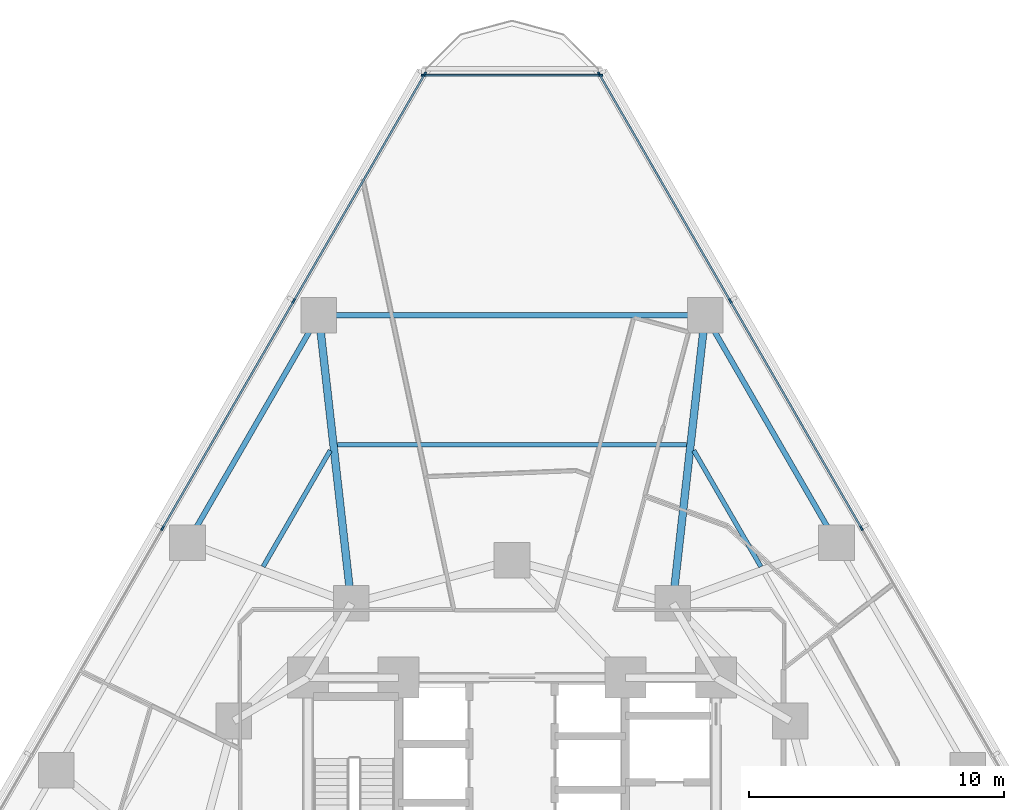
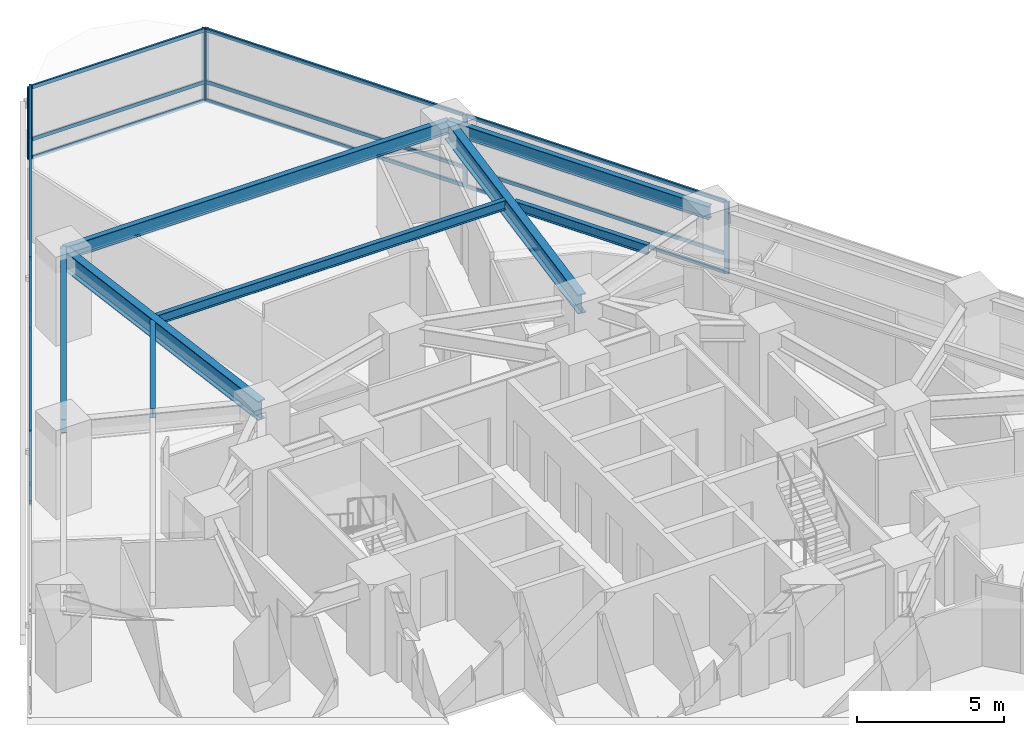
# One storey, part 6 of 15: 23 members, 8 beams, 3 elements without a shape of their own.
"""IFC4 building model written with IfcOpenShell, lengths in metres."""

from ifc_helpers import new_model, si_unit, direction, frame, origin, origin_2d, place, context, subcontext, project, spatial, rectangle, i_section, extrude, material, layer, layer_set, material_profile, profile_set, type_object, element, aggregate, save


model = new_model("IFC4")

# Units and contexts
model_context = context("Model", 3, precision=1e-05, world=origin(), true_north=direction((0.0, 1.0)))
body_context = subcontext(model_context, "Body", "Model", "MODEL_VIEW")
ifc_project = project(units=[si_unit("LENGTHUNIT", "METRE"), si_unit("AREAUNIT", "SQUARE_METRE"), si_unit("VOLUMEUNIT", "CUBIC_METRE"), si_unit("PLANEANGLEUNIT", "RADIAN"), si_unit("MASSUNIT", "GRAM", prefix="KILO")], contexts=[model_context])

# Site, building, storey
site_placement = place(None, origin())
site = spatial("IfcSite", under=ifc_project, at=site_placement, CompositionType="ELEMENT")
building_placement = place(site_placement, origin())
building = spatial("IfcBuilding", under=site, at=building_placement, Name="Terralouvre Media Tower", CompositionType="ELEMENT")
storey_placement = place(building_placement, frame((0.0, 0.0, 48.199951171875)))
storey = spatial("IfcBuildingStorey", under=building, at=storey_placement, Name="L11", CompositionType="ELEMENT", Elevation=48.199951171875)

# Beams
ifc_material_1 = material(Name="Structural steel S355J2", Category="steel")
ifc_material_profile_1 = material_profile(ifc_material_1, i_section(OverallWidth=0.179931640625, OverallDepth=0.39990234375, WebThickness=0.008544921875, FlangeThickness=0.013427734375, at=origin_2d()), Name="IPE 400")
ifc_profile_set_1 = profile_set([ifc_material_profile_1], Name="Structural steel S355J2")
beam_type_1 = type_object("IfcBeamType", Name="Composite Floor Joist J-IPE400 (IPE 400)", PredefinedType="JOIST", material=ifc_profile_set_1)
beam_1_placement = place(storey_placement, frame((9.758544921875, 12.351806640625, 3.300048828125), z_axis=(-0.499984733014, 0.866034218004, 0.0), x_axis=(-0.866034218004, -0.499984733014, 0.0)))
element("IfcBeam", 1, at=beam_1_placement, inside=storey, type_object=beam_type_1, Name="L11 Framing Beam JT-L11-08", PredefinedType="JOIST", context=body_context, shape_type="SweptSolid", body=[
    extrude(i_section(OverallWidth=0.179931640625, OverallDepth=0.39990234375, WebThickness=0.008544921875, FlangeThickness=0.013427734375, at=origin_2d()), origin(), (0.0, 0.0, 1.0), 5.264404296875),
])
beam_2_placement = place(storey_placement, frame((6.85107421875, 17.127685546875, 3.300048828125), z_axis=(-1.0, 0.0, 0.0), x_axis=(0.0, -1.0, 0.0)))
element("IfcBeam", 2, at=beam_2_placement, inside=storey, type_object=beam_type_1, Name="L11 Framing Beam JT-L11-09", PredefinedType="JOIST", context=body_context, shape_type="SweptSolid", body=[
    extrude(i_section(OverallWidth=0.179931640625, OverallDepth=0.39990234375, WebThickness=0.008544921875, FlangeThickness=0.013427734375, at=origin_2d()), origin(), (0.0, 0.0, 1.0), 13.7021484375),
])
beam_3_placement = place(storey_placement, frame((-7.12646484375, 16.910888671875, 3.300048828125), z_axis=(-0.499984733014, -0.866034218004, 0.0), x_axis=(0.866034218004, -0.499984733014, 0.0)))
element("IfcBeam", 3, at=beam_3_placement, inside=storey, type_object=beam_type_1, Name="L11 Framing Beam JT-L11-10", PredefinedType="JOIST", context=body_context, shape_type="SweptSolid", body=[
    extrude(i_section(OverallWidth=0.179931640625, OverallDepth=0.39990234375, WebThickness=0.008544921875, FlangeThickness=0.013427734375, at=origin_2d()), origin(), (0.0, 0.0, 1.0), 5.264404296875),
])

# Curtain wall, members
ifc_material_2 = material(Name="Low-iron laminated double glazing with solar-control coating", Category="glass")
ifc_layer_1 = layer(ifc_material_2, 0.1650390625, Name="Lower Media Tower Unitised Curtain Wall CW-02")
ifc_layer_set_1 = layer_set([ifc_layer_1], Name="Low-iron laminated double glazing with solar-control coating")
curtain_wall_type_1 = type_object("IfcCurtainWallType", Name="Lower Media Tower Unitised Curtain Wall CW-02", PredefinedType="NOTDEFINED", material=ifc_layer_set_1)
curtain_wall_1_placement = place(storey_placement, origin())
curtain_wall_1 = element("IfcCurtainWall", 4, at=curtain_wall_1_placement, inside=storey, type_object=curtain_wall_type_1, Name="L11 Facade Curtain Wall F1", PredefinedType="NOTDEFINED")
ifc_material_3 = material(Name="Anodised extruded aluminium 6063-T6", Category="aluminium")
ifc_material_profile_2 = material_profile(ifc_material_3, rectangle(XDim=0.074951171875, YDim=0.14990234375, at=origin_2d()), Name="ALU 75x150")
ifc_profile_set_2 = profile_set([ifc_material_profile_2], Name="Anodised extruded aluminium 6063-T6")
member_type_1 = type_object("IfcMemberType", Name="Curtain-Wall Horizontal Transom TR-150", PredefinedType="USERDEFINED", material=ifc_profile_set_2)
member_1_placement = place(storey_placement, frame((13.684814453125, 13.890869140625, 0.03759765625), z_axis=(-0.499998717582, 0.866026144187, 0.0), x_axis=(-0.866026144187, -0.499998717582, 0.0)))
member_1 = element("IfcMember", 5, at=member_1_placement, type_object=member_type_1, Name="CW-02 transom 4.1", ObjectType="TRANSOM", PredefinedType="USERDEFINED", context=body_context, shape_type="SweptSolid", body=[
    extrude(rectangle(XDim=0.074951171875, YDim=0.14990234375, at=origin_2d()), origin(), (0.0, 0.0, 1.0), 10.22509765625),
])
member_2_placement = place(storey_placement, frame((13.684814453125, 13.890869140625, 0.800048828125), z_axis=(-0.499998717582, 0.866026144187, 0.0), x_axis=(-0.866026144187, -0.499998717582, 0.0)))
member_2 = element("IfcMember", 6, at=member_2_placement, type_object=member_type_1, Name="CW-02 transom 4.2", ObjectType="TRANSOM", PredefinedType="USERDEFINED", context=body_context, shape_type="SweptSolid", body=[
    extrude(rectangle(XDim=0.074951171875, YDim=0.14990234375, at=origin_2d()), origin(), (0.0, 0.0, 1.0), 10.22509765625),
])
member_3_placement = place(storey_placement, frame((13.684814453125, 13.890869140625, 2.962646484375), z_axis=(-0.499998717582, 0.866026144187, 0.0), x_axis=(-0.866026144187, -0.499998717582, 0.0)))
member_3 = element("IfcMember", 7, at=member_3_placement, type_object=member_type_1, Name="CW-02 transom 4.3", ObjectType="TRANSOM", PredefinedType="USERDEFINED", context=body_context, shape_type="SweptSolid", body=[
    extrude(rectangle(XDim=0.074951171875, YDim=0.14990234375, at=origin_2d()), origin(), (0.0, 0.0, 1.0), 10.22509765625),
])
member_4_placement = place(storey_placement, frame((8.53466796875, 22.81103515625, 0.03759765625), z_axis=(-0.500005272087, 0.866022359922, 0.0), x_axis=(-0.866022359922, -0.500005272087, 0.0)))
member_4 = element("IfcMember", 8, at=member_4_placement, type_object=member_type_1, Name="CW-02 transom 5.1", ObjectType="TRANSOM", PredefinedType="USERDEFINED", context=body_context, shape_type="SweptSolid", body=[
    extrude(rectangle(XDim=0.074951171875, YDim=0.14990234375, at=origin_2d()), origin(), (0.0, 0.0, 1.0), 10.1875),
])
member_5_placement = place(storey_placement, frame((8.53466796875, 22.81103515625, 0.800048828125), z_axis=(-0.500005272087, 0.866022359922, 0.0), x_axis=(-0.866022359922, -0.500005272087, 0.0)))
member_5 = element("IfcMember", 9, at=member_5_placement, type_object=member_type_1, Name="CW-02 transom 5.2", ObjectType="TRANSOM", PredefinedType="USERDEFINED", context=body_context, shape_type="SweptSolid", body=[
    extrude(rectangle(XDim=0.074951171875, YDim=0.14990234375, at=origin_2d()), origin(), (0.0, 0.0, 1.0), 10.1875),
])
member_6_placement = place(storey_placement, frame((8.53466796875, 22.81103515625, 2.962646484375), z_axis=(-0.500005272087, 0.866022359922, 0.0), x_axis=(-0.866022359922, -0.500005272087, 0.0)))
member_6 = element("IfcMember", 10, at=member_6_placement, type_object=member_type_1, Name="CW-02 transom 5.3", ObjectType="TRANSOM", PredefinedType="USERDEFINED", context=body_context, shape_type="SweptSolid", body=[
    extrude(rectangle(XDim=0.074951171875, YDim=0.14990234375, at=origin_2d()), origin(), (0.0, 0.0, 1.0), 10.1875),
])

curtain_wall_2_placement = place(storey_placement, origin())
curtain_wall_2 = element("IfcCurtainWall", 11, at=curtain_wall_2_placement, inside=storey, type_object=curtain_wall_type_1, Name="L11 Facade Curtain Wall F2", PredefinedType="NOTDEFINED")
member_7_placement = place(storey_placement, frame((-3.44091796875, 31.633544921875, 0.03759765625), z_axis=(-0.500005272087, -0.866022359922, 0.0), x_axis=(0.866022359922, -0.500005272087, 0.0)))
member_7 = element("IfcMember", 12, at=member_7_placement, type_object=member_type_1, Name="CW-02 transom 1.1", ObjectType="TRANSOM", PredefinedType="USERDEFINED", context=body_context, shape_type="SweptSolid", body=[
    extrude(rectangle(XDim=0.074951171875, YDim=0.14990234375, at=origin_2d()), origin(), (0.0, 0.0, 1.0), 10.1875),
])
member_8_placement = place(storey_placement, frame((-3.44091796875, 31.633544921875, 0.800048828125), z_axis=(-0.500005272087, -0.866022359922, 0.0), x_axis=(0.866022359922, -0.500005272087, 0.0)))
member_8 = element("IfcMember", 13, at=member_8_placement, type_object=member_type_1, Name="CW-02 transom 1.2", ObjectType="TRANSOM", PredefinedType="USERDEFINED", context=body_context, shape_type="SweptSolid", body=[
    extrude(rectangle(XDim=0.074951171875, YDim=0.14990234375, at=origin_2d()), origin(), (0.0, 0.0, 1.0), 10.1875),
])
member_9_placement = place(storey_placement, frame((-3.44091796875, 31.633544921875, 2.962646484375), z_axis=(-0.500005272087, -0.866022359922, 0.0), x_axis=(0.866022359922, -0.500005272087, 0.0)))
member_9 = element("IfcMember", 14, at=member_9_placement, type_object=member_type_1, Name="CW-02 transom 1.3", ObjectType="TRANSOM", PredefinedType="USERDEFINED", context=body_context, shape_type="SweptSolid", body=[
    extrude(rectangle(XDim=0.074951171875, YDim=0.14990234375, at=origin_2d()), origin(), (0.0, 0.0, 1.0), 10.1875),
])
member_10_placement = place(storey_placement, frame((-8.572265625, 22.74609375, 0.03759765625), z_axis=(-0.499998717582, -0.866026144187, 0.0), x_axis=(0.866026144187, -0.499998717582, 0.0)))
member_10 = element("IfcMember", 15, at=member_10_placement, type_object=member_type_1, Name="CW-02 transom 2.1", ObjectType="TRANSOM", PredefinedType="USERDEFINED", context=body_context, shape_type="SweptSolid", body=[
    extrude(rectangle(XDim=0.074951171875, YDim=0.14990234375, at=origin_2d()), origin(), (0.0, 0.0, 1.0), 10.22509765625),
])
member_11_placement = place(storey_placement, frame((-8.572265625, 22.74609375, 0.800048828125), z_axis=(-0.499998717582, -0.866026144187, 0.0), x_axis=(0.866026144187, -0.499998717582, 0.0)))
member_11 = element("IfcMember", 16, at=member_11_placement, type_object=member_type_1, Name="CW-02 transom 2.2", ObjectType="TRANSOM", PredefinedType="USERDEFINED", context=body_context, shape_type="SweptSolid", body=[
    extrude(rectangle(XDim=0.074951171875, YDim=0.14990234375, at=origin_2d()), origin(), (0.0, 0.0, 1.0), 10.22509765625),
])
member_12_placement = place(storey_placement, frame((-8.572265625, 22.74609375, 2.962646484375), z_axis=(-0.499998717582, -0.866026144187, 0.0), x_axis=(0.866026144187, -0.499998717582, 0.0)))
member_12 = element("IfcMember", 17, at=member_12_placement, type_object=member_type_1, Name="CW-02 transom 2.3", ObjectType="TRANSOM", PredefinedType="USERDEFINED", context=body_context, shape_type="SweptSolid", body=[
    extrude(rectangle(XDim=0.074951171875, YDim=0.14990234375, at=origin_2d()), origin(), (0.0, 0.0, 1.0), 10.22509765625),
])

ifc_material_4 = material(Name="Low-iron laminated double glazing with solar-control coating", Category="glass")
ifc_layer_2 = layer(ifc_material_4, 0.1650390625, Name="Rounded Wind-Corner Curved Glazing CW-04")
ifc_layer_set_2 = layer_set([ifc_layer_2], Name="Low-iron laminated double glazing with solar-control coating")
curtain_wall_type_2 = type_object("IfcCurtainWallType", Name="Rounded Wind-Corner Curved Glazing CW-04", PredefinedType="NOTDEFINED", material=ifc_layer_set_2)
curtain_wall_3_placement = place(storey_placement, origin())
curtain_wall_3 = element("IfcCurtainWall", 18, at=curtain_wall_3_placement, inside=storey, type_object=curtain_wall_type_2, Name="L11 Rounded Wind-Corner Curtain Wall C2", PredefinedType="NOTDEFINED")
member_13_placement = place(storey_placement, frame((3.432373046875, 31.61865234375, 0.03759765625), z_axis=(-1.0, 0.0, 0.0), x_axis=(0.0, -1.0, 0.0)))
member_13 = element("IfcMember", 19, at=member_13_placement, type_object=member_type_1, Name="CW-04 transom 1.1", ObjectType="TRANSOM", PredefinedType="USERDEFINED", context=body_context, shape_type="SweptSolid", body=[
    extrude(rectangle(XDim=0.074951171875, YDim=0.14990234375, at=origin_2d()), origin(), (0.0, 0.0, 1.0), 6.86474609375),
])
member_14_placement = place(storey_placement, frame((3.432373046875, 31.61865234375, 0.800048828125), z_axis=(-1.0, 0.0, 0.0), x_axis=(0.0, -1.0, 0.0)))
member_14 = element("IfcMember", 20, at=member_14_placement, type_object=member_type_1, Name="CW-04 transom 1.2", ObjectType="TRANSOM", PredefinedType="USERDEFINED", context=body_context, shape_type="SweptSolid", body=[
    extrude(rectangle(XDim=0.074951171875, YDim=0.14990234375, at=origin_2d()), origin(), (0.0, 0.0, 1.0), 6.86474609375),
])
member_15_placement = place(storey_placement, frame((3.432373046875, 31.61865234375, 2.962646484375), z_axis=(-1.0, 0.0, 0.0), x_axis=(0.0, -1.0, 0.0)))
member_15 = element("IfcMember", 21, at=member_15_placement, type_object=member_type_1, Name="CW-04 transom 1.3", ObjectType="TRANSOM", PredefinedType="USERDEFINED", context=body_context, shape_type="SweptSolid", body=[
    extrude(rectangle(XDim=0.074951171875, YDim=0.14990234375, at=origin_2d()), origin(), (0.0, 0.0, 1.0), 6.86474609375),
])

# Member
ifc_material_5 = material(Name="Anodised extruded aluminium 6063-T6", Category="aluminium")
ifc_material_profile_3 = material_profile(ifc_material_5, rectangle(XDim=0.074951171875, YDim=0.179931640625, at=origin_2d()), Name="ALU 75x180")
ifc_profile_set_3 = profile_set([ifc_material_profile_3], Name="Anodised extruded aluminium 6063-T6")
member_type_2 = type_object("IfcMemberType", Name="Curtain-Wall Vertical Mullion ML-180", PredefinedType="MULLION", material=ifc_profile_set_3)
member_16_placement = place(storey_placement, frame((13.703369140625, 13.8583984375, 0.0), z_axis=(0.0, 0.0, 1.0), x_axis=(-0.866025412057, -0.499999985671, 0.0)))
member_16 = element("IfcMember", 22, at=member_16_placement, type_object=member_type_2, Name="CW-02 mullion 4", PredefinedType="MULLION", context=body_context, shape_type="SweptSolid", body=[
    extrude(rectangle(XDim=0.074951171875, YDim=0.179931640625, at=origin_2d()), origin(), (0.0, 0.0, 1.0), 3.0),
])

member_17_placement = place(storey_placement, frame((8.553466796875, 22.778564453125, 0.0), z_axis=(0.0, 0.0, 1.0), x_axis=(-0.866025412057, -0.499999985671, 0.0)))
member_17 = element("IfcMember", 23, at=member_17_placement, type_object=member_type_2, Name="CW-02 mullion 5", PredefinedType="MULLION", context=body_context, shape_type="SweptSolid", body=[
    extrude(rectangle(XDim=0.074951171875, YDim=0.179931640625, at=origin_2d()), origin(), (0.0, 0.0, 1.0), 3.0),
])

member_18_placement = place(storey_placement, frame((3.422119140625, 31.666015625, 0.0), z_axis=(0.0, 0.0, 1.0), x_axis=(-0.866025412057, -0.499999985671, 0.0)))
member_18 = element("IfcMember", 24, at=member_18_placement, type_object=member_type_2, Name="CW-02 mullion 6", PredefinedType="MULLION", context=body_context, shape_type="SweptSolid", body=[
    extrude(rectangle(XDim=0.074951171875, YDim=0.179931640625, at=origin_2d()), origin(), (0.0, 0.0, 1.0), 3.0),
])

aggregate(curtain_wall_1, [member_16, member_17, member_18, member_1, member_2, member_3, member_4, member_5, member_6])

member_19_placement = place(storey_placement, frame((-3.422119140625, 31.666015625, 0.0), z_axis=(0.0, 0.0, 1.0), x_axis=(0.866025412057, -0.499999985671, 0.0)))
member_19 = element("IfcMember", 25, at=member_19_placement, type_object=member_type_2, Name="CW-02 mullion 1", PredefinedType="MULLION", context=body_context, shape_type="SweptSolid", body=[
    extrude(rectangle(XDim=0.074951171875, YDim=0.179931640625, at=origin_2d()), origin(), (0.0, 0.0, 1.0), 3.0),
])

member_20_placement = place(storey_placement, frame((-8.553466796875, 22.778564453125, 0.0), z_axis=(0.0, 0.0, 1.0), x_axis=(0.866025412057, -0.499999985671, 0.0)))
member_20 = element("IfcMember", 26, at=member_20_placement, type_object=member_type_2, Name="CW-02 mullion 2", PredefinedType="MULLION", context=body_context, shape_type="SweptSolid", body=[
    extrude(rectangle(XDim=0.074951171875, YDim=0.179931640625, at=origin_2d()), origin(), (0.0, 0.0, 1.0), 3.0),
])

member_21_placement = place(storey_placement, frame((-13.703369140625, 13.8583984375, 0.0), z_axis=(0.0, 0.0, 1.0), x_axis=(0.866025412057, -0.499999985671, 0.0)))
member_21 = element("IfcMember", 27, at=member_21_placement, type_object=member_type_2, Name="CW-02 mullion 3", PredefinedType="MULLION", context=body_context, shape_type="SweptSolid", body=[
    extrude(rectangle(XDim=0.074951171875, YDim=0.179931640625, at=origin_2d()), origin(), (0.0, 0.0, 1.0), 3.0),
])

aggregate(curtain_wall_2, [member_19, member_20, member_21, member_7, member_8, member_9, member_10, member_11, member_12])

member_22_placement = place(storey_placement, frame((3.469970703125, 31.61865234375, 0.0), z_axis=(0.0, 0.0, 1.0), x_axis=(0.0, -1.0, 0.0)))
member_22 = element("IfcMember", 28, at=member_22_placement, type_object=member_type_2, Name="CW-04 mullion 1", PredefinedType="MULLION", context=body_context, shape_type="SweptSolid", body=[
    extrude(rectangle(XDim=0.074951171875, YDim=0.179931640625, at=origin_2d()), origin(), (0.0, 0.0, 1.0), 3.0),
])

member_23_placement = place(storey_placement, frame((-3.469970703125, 31.61865234375, 0.0), z_axis=(0.0, 0.0, 1.0), x_axis=(0.0, -1.0, 0.0)))
member_23 = element("IfcMember", 29, at=member_23_placement, type_object=member_type_2, Name="CW-04 mullion 2", PredefinedType="MULLION", context=body_context, shape_type="SweptSolid", body=[
    extrude(rectangle(XDim=0.074951171875, YDim=0.179931640625, at=origin_2d()), origin(), (0.0, 0.0, 1.0), 3.0),
])

aggregate(curtain_wall_3, [member_22, member_23, member_13, member_14, member_15])

# Beams
ifc_material_6 = material(Name="Structural steel S355J2", Category="steel")
ifc_material_profile_4 = material_profile(ifc_material_6, i_section(OverallWidth=0.2099609375, OverallDepth=0.550048828125, WebThickness=0.010986328125, FlangeThickness=0.01708984375, at=origin_2d()), Name="IPE 550")
ifc_profile_set_4 = profile_set([ifc_material_profile_4], Name="Structural steel S355J2")
beam_type_2 = type_object("IfcBeamType", Name="Perimeter Spandrel Beam SPB-550 (IPE 550)", PredefinedType="SPANDREL", material=ifc_profile_set_4)
beam_4_placement = place(storey_placement, frame((12.724853515625, 13.29345703125, 3.22509765625), z_axis=(-0.499998765615, 0.866026116456, 0.0), x_axis=(-0.866026116456, -0.499998765615, 0.0)))
element("IfcBeam", 30, at=beam_4_placement, inside=storey, type_object=beam_type_2, Name="L11 Framing Beam BM-L11-PR08", PredefinedType="SPANDREL", context=body_context, shape_type="SweptSolid", body=[
    extrude(i_section(OverallWidth=0.2099609375, OverallDepth=0.550048828125, WebThickness=0.010986328125, FlangeThickness=0.01708984375, at=origin_2d()), origin(), (0.0, 0.0, 1.0), 10.2998046875),
])
beam_5_placement = place(storey_placement, frame((7.574951171875, 22.21337890625, 3.22509765625), z_axis=(-1.0, 0.0, 0.0), x_axis=(0.0, -1.0, 0.0)))
element("IfcBeam", 31, at=beam_5_placement, inside=storey, type_object=beam_type_2, Name="L11 Framing Beam BM-L11-PR09", PredefinedType="SPANDREL", context=body_context, shape_type="SweptSolid", body=[
    extrude(i_section(OverallWidth=0.2099609375, OverallDepth=0.550048828125, WebThickness=0.010986328125, FlangeThickness=0.01708984375, at=origin_2d()), origin(), (0.0, 0.0, 1.0), 15.14990234375),
])
beam_6_placement = place(storey_placement, frame((-7.574951171875, 22.21337890625, 3.22509765625), z_axis=(-0.499998765615, -0.866026116456, 0.0), x_axis=(0.866026116456, -0.499998765615, 0.0)))
element("IfcBeam", 32, at=beam_6_placement, inside=storey, type_object=beam_type_2, Name="L11 Framing Beam BM-L11-PR10", PredefinedType="SPANDREL", context=body_context, shape_type="SweptSolid", body=[
    extrude(i_section(OverallWidth=0.2099609375, OverallDepth=0.550048828125, WebThickness=0.010986328125, FlangeThickness=0.01708984375, at=origin_2d()), origin(), (0.0, 0.0, 1.0), 10.2998046875),
])
ifc_material_7 = material(Name="Structural steel S460M", Category="steel")
ifc_material_profile_5 = material_profile(ifc_material_7, i_section(OverallWidth=0.300048828125, OverallDepth=0.800048828125, WebThickness=0.017578125, FlangeThickness=0.032958984375, at=origin_2d()), Name="HEB 800")
ifc_profile_set_5 = profile_set([ifc_material_profile_5], Name="Structural steel S460M")
beam_type_3 = type_object("IfcBeamType", Name="Primary Floor Girder B-HEB800 (HEB 800)", PredefinedType="BEAM", material=ifc_profile_set_5)
for number, where, z_axis, x_axis, name in (
    (33, (6.300048828125, 10.911865234375, 3.10009765625), (0.112097104782, 0.993697257267, 0.0), (-0.993697257267, 0.112097104782, 0.0), "L11 Framing Beam BM-L11-RD09"),
    (34, (-6.300048828125, 10.911865234375, 3.10009765625), (-0.112097104782, 0.993697257267, 0.0), (-0.993697257267, -0.112097104782, 0.0), "L11 Framing Beam BM-L11-RD10"),
):
    element("IfcBeam", number, at=place(storey_placement, frame(where, z_axis=z_axis, x_axis=x_axis)), inside=storey, type_object=beam_type_3, Name=name, PredefinedType="BEAM", context=body_context, shape_type="SweptSolid", body=[
        extrude(i_section(OverallWidth=0.300048828125, OverallDepth=0.800048828125, WebThickness=0.017578125, FlangeThickness=0.032958984375, at=origin_2d()), origin(), (0.0, 0.0, 1.0), 11.373291015625),
    ])

save(model, "model.ifc")
